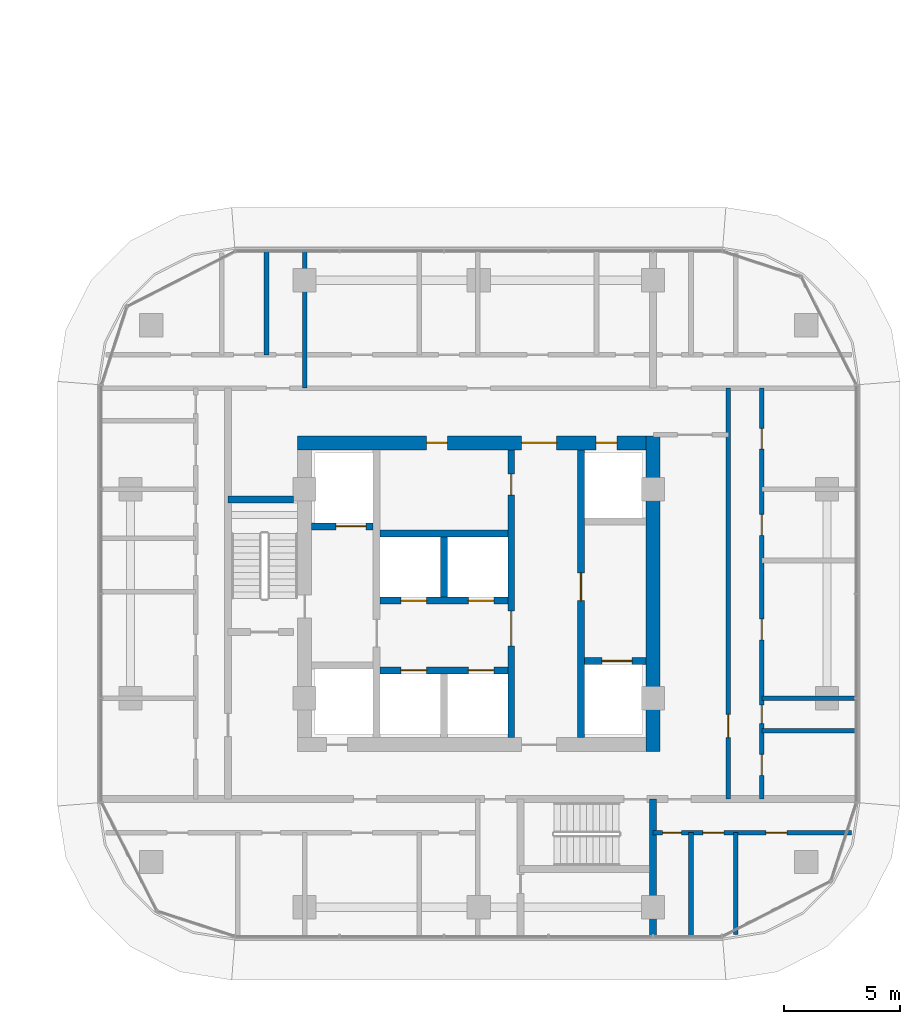
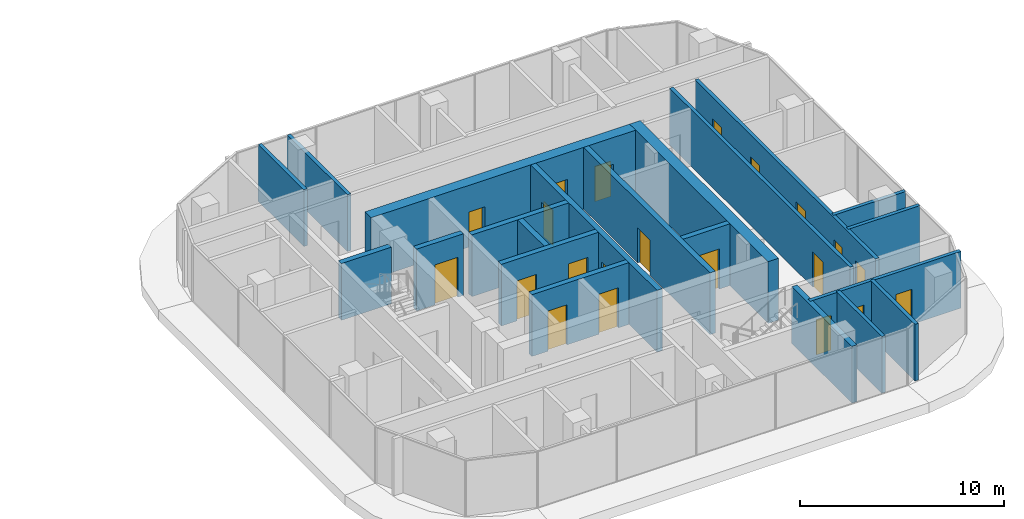
# One storey, part 26 of 39: 21 doors, 21 walls, 21 openings.
"""IFC4 building model written with IfcOpenShell, lengths in metres."""

from ifc_helpers import new_model, si_unit, direction, frame, frame_2d, origin, place, context, subcontext, project, spatial, rectangle, extrude, material, layer, layer_set, type_object, element, fill, save


model = new_model("IFC4")

# Units and contexts
model_context = context("Model", 3, precision=1e-05, world=origin(), true_north=direction((0.0, 1.0)))
body_context = subcontext(model_context, "Body", "Model", "MODEL_VIEW")
ifc_project = project(units=[si_unit("LENGTHUNIT", "METRE"), si_unit("AREAUNIT", "SQUARE_METRE"), si_unit("VOLUMEUNIT", "CUBIC_METRE"), si_unit("PLANEANGLEUNIT", "RADIAN"), si_unit("MASSUNIT", "GRAM", prefix="KILO")], contexts=[model_context])

# Site, building, storey
site_placement = place(None, origin())
site = spatial("IfcSite", under=ifc_project, at=site_placement, CompositionType="ELEMENT")
building_placement = place(site_placement, origin())
building = spatial("IfcBuilding", under=site, at=building_placement, Name="Ogive Portal Towers", CompositionType="ELEMENT")
storey_placement = place(building_placement, frame((0.0, 0.0, 44.60009765625)))
storey = spatial("IfcBuildingStorey", under=building, at=storey_placement, Name="L09", CompositionType="ELEMENT", Elevation=44.60009765625)

# Wall, openings, doors
ifc_material_1 = material(Name="Concrete C60/75", Category="concrete")
ifc_layer_1 = layer(ifc_material_1, 0.300048828125)
ifc_layer_set_1 = layer_set([ifc_layer_1], Name="CORE WALL 300 C60")
wall_type_1 = type_object("IfcWallType", Name="CORE WALL 300 C60", PredefinedType="SHEAR", material=ifc_layer_set_1)
wall_1_placement = place(storey_placement, frame((137.89990234375, 24.800048828125, 0.0), z_axis=(0.0, 0.0, 1.0), x_axis=(0.0, 1.0, 0.0)))
wall_1 = element("IfcWall", 1, at=wall_1_placement, inside=storey, type_object=wall_type_1, Name="Tower B core wall BX2 L09", PredefinedType="SHEAR", context=body_context, shape_type="SweptSolid", body=[
    extrude(rectangle(XDim=12.39990234375, YDim=0.300048828125, at=frame_2d((6.199951171875, 0.0))), origin(), (0.0, 0.0, 1.0), 3.699951171875),
])
opening_1_placement = place(wall_1_placement, frame((3.949951171875, 0.0, 0.0)))
opening_1 = element("IfcOpeningElement", 2, at=opening_1_placement, cuts=wall_1, Name="Opening B02-041", PredefinedType="OPENING", context=body_context, shape_type="SweptSolid", body=[
    extrude(rectangle(XDim=1.5, YDim=2.10009765625, at=frame_2d((0.75, 1.050048828125))), frame((0.0, 0.16015625, 0.0), z_axis=(0.0, -1.0, 0.0), x_axis=(1.0, 0.0, 0.0)), (0.0, 0.0, 1.0), 0.320068359375),
])
opening_2_placement = place(wall_1_placement, frame((10.449951171875, 0.0, 0.0)))
opening_2 = element("IfcOpeningElement", 3, at=opening_2_placement, cuts=wall_1, Name="Opening B02-056", PredefinedType="OPENING", context=body_context, shape_type="SweptSolid", body=[
    extrude(rectangle(XDim=0.89990234375, YDim=2.10009765625, at=frame_2d((0.449951171875, 1.050048828125))), frame((0.0, 0.16015625, 0.0), z_axis=(0.0, -1.0, 0.0), x_axis=(1.0, 0.0, 0.0)), (0.0, 0.0, 1.0), 0.320068359375),
])
ifc_material_2 = material(Name="Steel fire door", Category="steel")
door_type_1 = type_object("IfcDoorType", Name="DT-SWING-1500x2100-FD90S", OperationType="SINGLE_SWING_LEFT", PredefinedType="DOOR", material=ifc_material_2)
door_1_placement = place(opening_1_placement, origin())
door_1 = element("IfcDoor", 4, at=door_1_placement, inside=storey, type_object=door_type_1, Name="Door B02-041", OperationType="SINGLE_SWING_RIGHT", OverallHeight=2.10009765625, OverallWidth=1.5, PredefinedType="DOOR", context=body_context, shape_type="SweptSolid", body=[
    extrude(rectangle(XDim=1.5, YDim=2.10009765625, at=frame_2d((0.75, 1.050048828125))), frame((0.0, 0.02490234375, 0.0), z_axis=(0.0, -1.0, 0.0), x_axis=(1.0, 0.0, 0.0)), (0.0, 0.0, 1.0), 0.050048828125),
])
fill(opening_1, door_1)
door_type_2 = type_object("IfcDoorType", Name="DT-SWING-900x2100-FD90S", OperationType="SINGLE_SWING_LEFT", PredefinedType="DOOR", material=ifc_material_2)
door_2_placement = place(opening_2_placement, origin())
door_2 = element("IfcDoor", 5, at=door_2_placement, inside=storey, type_object=door_type_2, Name="Door B02-056", OperationType="SINGLE_SWING_RIGHT", OverallHeight=2.10009765625, OverallWidth=0.89990234375, PredefinedType="DOOR", context=body_context, shape_type="SweptSolid", body=[
    extrude(rectangle(XDim=0.89990234375, YDim=2.10009765625, at=frame_2d((0.449951171875, 1.050048828125))), frame((0.0, 0.02490234375, 0.0), z_axis=(0.0, -1.0, 0.0), x_axis=(1.0, 0.0, 0.0)), (0.0, 0.0, 1.0), 0.050048828125),
])
fill(opening_2, door_2)

# Wall, opening, door
wall_2_placement = place(storey_placement, frame((140.89990234375, 24.800048828125, 0.0), z_axis=(0.0, 0.0, 1.0), x_axis=(0.0, 1.0, 0.0)))
wall_2 = element("IfcWall", 6, at=wall_2_placement, inside=storey, type_object=wall_type_1, Name="Tower B core wall BX3 L09", PredefinedType="SHEAR", context=body_context, shape_type="SweptSolid", body=[
    extrude(rectangle(XDim=12.39990234375, YDim=0.300048828125, at=frame_2d((6.199951171875, 0.0))), origin(), (0.0, 0.0, 1.0), 3.699951171875),
])
opening_3_placement = place(wall_2_placement, frame((5.89990234375, 0.0, 0.0)))
opening_3 = element("IfcOpeningElement", 7, at=opening_3_placement, cuts=wall_2, Name="Opening B02-043", PredefinedType="OPENING", context=body_context, shape_type="SweptSolid", body=[
    extrude(rectangle(XDim=1.199951171875, YDim=2.10009765625, at=frame_2d((0.60009765625, 1.050048828125))), frame((0.0, 0.16015625, 0.0), z_axis=(0.0, -1.0, 0.0), x_axis=(1.0, 0.0, 0.0)), (0.0, 0.0, 1.0), 0.320068359375),
])
door_type_3 = type_object("IfcDoorType", Name="DT-SWING-1200x2100-FD90S", OperationType="SINGLE_SWING_LEFT", PredefinedType="DOOR", material=ifc_material_2)
door_3_placement = place(opening_3_placement, origin())
door_3 = element("IfcDoor", 8, at=door_3_placement, inside=storey, type_object=door_type_3, Name="Door B02-043", OperationType="SINGLE_SWING_RIGHT", OverallHeight=2.10009765625, OverallWidth=1.199951171875, PredefinedType="DOOR", context=body_context, shape_type="SweptSolid", body=[
    extrude(rectangle(XDim=1.199951171875, YDim=2.10009765625, at=frame_2d((0.60009765625, 1.050048828125))), frame((0.0, 0.02490234375, 0.0), z_axis=(0.0, -1.0, 0.0), x_axis=(1.0, 0.0, 0.0)), (0.0, 0.0, 1.0), 0.050048828125),
])
fill(opening_3, door_3)

# Wall
wall_3_placement = place(storey_placement, frame((135.0, 30.85009765625, 0.0), z_axis=(0.0, 0.0, 1.0), x_axis=(0.0, 1.0, 0.0)))
element("IfcWall", 9, at=wall_3_placement, inside=storey, type_object=wall_type_1, Name="Tower B core wall BX5 L09", PredefinedType="SHEAR", context=body_context, shape_type="SweptSolid", body=[
    extrude(rectangle(XDim=2.599853515625, YDim=0.300048828125, at=frame_2d((1.2998046875, 0.0))), origin(), (0.0, 0.0, 1.0), 3.699951171875),
])

# Wall, openings, doors
wall_4_placement = place(storey_placement, frame((132.25, 27.699951171875, 0.0), z_axis=(0.0, 0.0, 1.0), x_axis=(1.0, 0.0, 0.0)))
wall_4 = element("IfcWall", 10, at=wall_4_placement, inside=storey, type_object=wall_type_1, Name="Tower B core wall BY1 L09", PredefinedType="SHEAR", context=body_context, shape_type="SweptSolid", body=[
    extrude(rectangle(XDim=5.5, YDim=0.300048828125, at=frame_2d((2.75, 0.0))), origin(), (0.0, 0.0, 1.0), 3.699951171875),
])
opening_4_placement = place(wall_4_placement, frame((0.89990234375, 0.0, 0.0)))
opening_4 = element("IfcOpeningElement", 11, at=opening_4_placement, cuts=wall_4, Name="Opening B02-049", PredefinedType="OPENING", context=body_context, shape_type="SweptSolid", body=[
    extrude(rectangle(XDim=1.10009765625, YDim=2.39990234375, at=frame_2d((0.550048828125, 1.199951171875))), frame((0.0, 0.16015625, 0.0), z_axis=(0.0, -1.0, 0.0), x_axis=(1.0, 0.0, 0.0)), (0.0, 0.0, 1.0), 0.320068359375),
])
opening_5_placement = place(wall_4_placement, frame((3.800048828125, 0.0, 0.0)))
opening_5 = element("IfcOpeningElement", 12, at=opening_5_placement, cuts=wall_4, Name="Opening B02-050", PredefinedType="OPENING", context=body_context, shape_type="SweptSolid", body=[
    extrude(rectangle(XDim=1.10009765625, YDim=2.39990234375, at=frame_2d((0.550048828125, 1.199951171875))), frame((0.0, 0.16015625, 0.0), z_axis=(0.0, -1.0, 0.0), x_axis=(1.0, 0.0, 0.0)), (0.0, 0.0, 1.0), 0.320068359375),
])
ifc_material_3 = material(Name="Stainless steel", Category="steel")
door_type_4 = type_object("IfcDoorType", Name="DT-LD-1100x2400", OperationType="SLIDING_TO_LEFT", PredefinedType="DOOR", material=ifc_material_3)
door_4_placement = place(opening_4_placement, origin())
door_4 = element("IfcDoor", 13, at=door_4_placement, inside=storey, type_object=door_type_4, Name="Door B02-049", OperationType="SLIDING_TO_LEFT", OverallHeight=2.39990234375, OverallWidth=1.10009765625, PredefinedType="DOOR", context=body_context, shape_type="SweptSolid", body=[
    extrude(rectangle(XDim=1.10009765625, YDim=2.39990234375, at=frame_2d((0.550048828125, 1.199951171875))), frame((0.0, 0.02490234375, 0.0), z_axis=(0.0, -1.0, 0.0), x_axis=(1.0, 0.0, 0.0)), (0.0, 0.0, 1.0), 0.050048828125),
])
fill(opening_4, door_4)
door_5_placement = place(opening_5_placement, origin())
door_5 = element("IfcDoor", 14, at=door_5_placement, inside=storey, type_object=door_type_4, Name="Door B02-050", OperationType="SLIDING_TO_LEFT", OverallHeight=2.39990234375, OverallWidth=1.10009765625, PredefinedType="DOOR", context=body_context, shape_type="SweptSolid", body=[
    extrude(rectangle(XDim=1.10009765625, YDim=2.39990234375, at=frame_2d((0.550048828125, 1.199951171875))), frame((0.0, 0.02490234375, 0.0), z_axis=(0.0, -1.0, 0.0), x_axis=(1.0, 0.0, 0.0)), (0.0, 0.0, 1.0), 0.050048828125),
])
fill(opening_5, door_5)

wall_5_placement = place(storey_placement, frame((132.25, 30.699951171875, 0.0), z_axis=(0.0, 0.0, 1.0), x_axis=(1.0, 0.0, 0.0)))
wall_5 = element("IfcWall", 15, at=wall_5_placement, inside=storey, type_object=wall_type_1, Name="Tower B core wall BY2 L09", PredefinedType="SHEAR", context=body_context, shape_type="SweptSolid", body=[
    extrude(rectangle(XDim=5.5, YDim=0.300048828125, at=frame_2d((2.75, 0.0))), origin(), (0.0, 0.0, 1.0), 3.699951171875),
])
opening_6_placement = place(wall_5_placement, frame((0.89990234375, 0.0, 0.0)))
opening_6 = element("IfcOpeningElement", 16, at=opening_6_placement, cuts=wall_5, Name="Opening B02-051", PredefinedType="OPENING", context=body_context, shape_type="SweptSolid", body=[
    extrude(rectangle(XDim=1.10009765625, YDim=2.39990234375, at=frame_2d((0.550048828125, 1.199951171875))), frame((0.0, 0.16015625, 0.0), z_axis=(0.0, -1.0, 0.0), x_axis=(1.0, 0.0, 0.0)), (0.0, 0.0, 1.0), 0.320068359375),
])
opening_7_placement = place(wall_5_placement, frame((3.800048828125, 0.0, 0.0)))
opening_7 = element("IfcOpeningElement", 17, at=opening_7_placement, cuts=wall_5, Name="Opening B02-052", PredefinedType="OPENING", context=body_context, shape_type="SweptSolid", body=[
    extrude(rectangle(XDim=1.10009765625, YDim=2.39990234375, at=frame_2d((0.550048828125, 1.199951171875))), frame((0.0, 0.16015625, 0.0), z_axis=(0.0, -1.0, 0.0), x_axis=(1.0, 0.0, 0.0)), (0.0, 0.0, 1.0), 0.320068359375),
])
door_6_placement = place(opening_6_placement, origin())
door_6 = element("IfcDoor", 18, at=door_6_placement, inside=storey, type_object=door_type_4, Name="Door B02-051", OperationType="SLIDING_TO_LEFT", OverallHeight=2.39990234375, OverallWidth=1.10009765625, PredefinedType="DOOR", context=body_context, shape_type="SweptSolid", body=[
    extrude(rectangle(XDim=1.10009765625, YDim=2.39990234375, at=frame_2d((0.550048828125, 1.199951171875))), frame((0.0, 0.02490234375, 0.0), z_axis=(0.0, -1.0, 0.0), x_axis=(1.0, 0.0, 0.0)), (0.0, 0.0, 1.0), 0.050048828125),
])
fill(opening_6, door_6)
door_7_placement = place(opening_7_placement, origin())
door_7 = element("IfcDoor", 19, at=door_7_placement, inside=storey, type_object=door_type_4, Name="Door B02-052", OperationType="SLIDING_TO_LEFT", OverallHeight=2.39990234375, OverallWidth=1.10009765625, PredefinedType="DOOR", context=body_context, shape_type="SweptSolid", body=[
    extrude(rectangle(XDim=1.10009765625, YDim=2.39990234375, at=frame_2d((0.550048828125, 1.199951171875))), frame((0.0, 0.02490234375, 0.0), z_axis=(0.0, -1.0, 0.0), x_axis=(1.0, 0.0, 0.0)), (0.0, 0.0, 1.0), 0.050048828125),
])
fill(opening_7, door_7)

# Wall
wall_6_placement = place(storey_placement, frame((132.25, 33.60009765625, 0.0), z_axis=(0.0, 0.0, 1.0), x_axis=(1.0, 0.0, 0.0)))
element("IfcWall", 20, at=wall_6_placement, inside=storey, type_object=wall_type_1, Name="Tower B core wall BY3 L09", PredefinedType="SHEAR", context=body_context, shape_type="SweptSolid", body=[
    extrude(rectangle(XDim=5.5, YDim=0.300048828125, at=frame_2d((2.75, 0.0))), origin(), (0.0, 0.0, 1.0), 3.699951171875),
])

# Wall, opening, door
wall_7_placement = place(storey_placement, frame((129.300048828125, 33.89990234375, 0.0), z_axis=(0.0, 0.0, 1.0), x_axis=(1.0, 0.0, 0.0)))
wall_7 = element("IfcWall", 21, at=wall_7_placement, inside=storey, type_object=wall_type_1, Name="Tower B core wall BY5 L09", PredefinedType="SHEAR", context=body_context, shape_type="SweptSolid", body=[
    extrude(rectangle(XDim=2.64990234375, YDim=0.300048828125, at=frame_2d((1.324951171875, 0.0))), origin(), (0.0, 0.0, 1.0), 3.699951171875),
])
opening_8_placement = place(wall_7_placement, frame((1.050048828125, 0.0, 0.0)))
opening_8 = element("IfcOpeningElement", 22, at=opening_8_placement, cuts=wall_7, Name="Opening B02-053", PredefinedType="OPENING", context=body_context, shape_type="SweptSolid", body=[
    extrude(rectangle(XDim=1.300048828125, YDim=2.39990234375, at=frame_2d((0.64990234375, 1.199951171875))), frame((0.0, 0.16015625, 0.0), z_axis=(0.0, -1.0, 0.0), x_axis=(1.0, 0.0, 0.0)), (0.0, 0.0, 1.0), 0.320068359375),
])
door_type_5 = type_object("IfcDoorType", Name="DT-LD-1300x2400", OperationType="SLIDING_TO_LEFT", PredefinedType="DOOR", material=ifc_material_3)
door_8_placement = place(opening_8_placement, origin())
door_8 = element("IfcDoor", 23, at=door_8_placement, inside=storey, type_object=door_type_5, Name="Door B02-053", OperationType="SLIDING_TO_LEFT", OverallHeight=2.39990234375, OverallWidth=1.300048828125, PredefinedType="DOOR", context=body_context, shape_type="SweptSolid", body=[
    extrude(rectangle(XDim=1.300048828125, YDim=2.39990234375, at=frame_2d((0.64990234375, 1.199951171875))), frame((0.0, 0.02490234375, 0.0), z_axis=(0.0, -1.0, 0.0), x_axis=(1.0, 0.0, 0.0)), (0.0, 0.0, 1.0), 0.050048828125),
])
fill(opening_8, door_8)

wall_8_placement = place(storey_placement, frame((141.050048828125, 28.10009765625, 0.0), z_axis=(0.0, 0.0, 1.0), x_axis=(1.0, 0.0, 0.0)))
wall_8 = element("IfcWall", 24, at=wall_8_placement, inside=storey, type_object=wall_type_1, Name="Tower B core wall BY6 L09", PredefinedType="SHEAR", context=body_context, shape_type="SweptSolid", body=[
    extrude(rectangle(XDim=2.64990234375, YDim=0.300048828125, at=frame_2d((1.324951171875, 0.0))), origin(), (0.0, 0.0, 1.0), 3.699951171875),
])
opening_9_placement = place(wall_8_placement, frame((0.75, 0.0, 0.0)))
opening_9 = element("IfcOpeningElement", 25, at=opening_9_placement, cuts=wall_8, Name="Opening B02-054", PredefinedType="OPENING", context=body_context, shape_type="SweptSolid", body=[
    extrude(rectangle(XDim=1.300048828125, YDim=2.39990234375, at=frame_2d((0.64990234375, 1.199951171875))), frame((0.0, 0.16015625, 0.0), z_axis=(0.0, -1.0, 0.0), x_axis=(1.0, 0.0, 0.0)), (0.0, 0.0, 1.0), 0.320068359375),
])
door_9_placement = place(opening_9_placement, origin())
door_9 = element("IfcDoor", 26, at=door_9_placement, inside=storey, type_object=door_type_5, Name="Door B02-054", OperationType="SLIDING_TO_LEFT", OverallHeight=2.39990234375, OverallWidth=1.300048828125, PredefinedType="DOOR", context=body_context, shape_type="SweptSolid", body=[
    extrude(rectangle(XDim=1.300048828125, YDim=2.39990234375, at=frame_2d((0.64990234375, 1.199951171875))), frame((0.0, 0.02490234375, 0.0), z_axis=(0.0, -1.0, 0.0), x_axis=(1.0, 0.0, 0.0)), (0.0, 0.0, 1.0), 0.050048828125),
])
fill(opening_9, door_9)

# Wall
ifc_layer_2 = layer(ifc_material_1, 0.60009765625)
ifc_layer_set_2 = layer_set([ifc_layer_2], Name="CORE WALL 600 C60")
wall_type_2 = type_object("IfcWallType", Name="CORE WALL 600 C60", PredefinedType="SHEAR", material=ifc_layer_set_2)
wall_9_placement = place(storey_placement, frame((144.0, 24.199951171875, 0.0), z_axis=(0.0, 0.0, 1.0), x_axis=(0.0, 1.0, 0.0)))
element("IfcWall", 27, at=wall_9_placement, inside=storey, type_object=wall_type_2, Name="Tower B core wall BE L09", PredefinedType="SHEAR", context=body_context, shape_type="SweptSolid", body=[
    extrude(rectangle(XDim=13.60009765625, YDim=0.60009765625, at=frame_2d((6.800048828125, 0.0))), origin(), (0.0, 0.0, 1.0), 3.699951171875),
])

# Wall, openings, doors
wall_10_placement = place(storey_placement, frame((128.699951171875, 37.5, 0.0), z_axis=(0.0, 0.0, 1.0), x_axis=(1.0, 0.0, 0.0)))
wall_10 = element("IfcWall", 28, at=wall_10_placement, inside=storey, type_object=wall_type_2, Name="Tower B core wall BN L09", PredefinedType="SHEAR", context=body_context, shape_type="SweptSolid", body=[
    extrude(rectangle(XDim=15.0, YDim=0.60009765625, at=frame_2d((7.5, 0.0))), origin(), (0.0, 0.0, 1.0), 3.699951171875),
])
opening_10_placement = place(wall_10_placement, frame((9.64990234375, 0.0, 0.0)))
opening_10 = element("IfcOpeningElement", 29, at=opening_10_placement, cuts=wall_10, Name="Opening B02-046", PredefinedType="OPENING", context=body_context, shape_type="SweptSolid", body=[
    extrude(rectangle(XDim=1.5, YDim=2.10009765625, at=frame_2d((0.75, 1.050048828125))), frame((0.0, 0.31005859375, 0.0), z_axis=(0.0, -1.0, 0.0), x_axis=(1.0, 0.0, 0.0)), (0.0, 0.0, 1.0), 0.6201171875),
])
opening_11_placement = place(wall_10_placement, frame((12.85009765625, 0.0, 0.0)))
opening_11 = element("IfcOpeningElement", 30, at=opening_11_placement, cuts=wall_10, Name="Opening B02-048", PredefinedType="OPENING", context=body_context, shape_type="SweptSolid", body=[
    extrude(rectangle(XDim=0.89990234375, YDim=2.10009765625, at=frame_2d((0.449951171875, 1.050048828125))), frame((0.0, 0.31005859375, 0.0), z_axis=(0.0, -1.0, 0.0), x_axis=(1.0, 0.0, 0.0)), (0.0, 0.0, 1.0), 0.6201171875),
])
opening_12_placement = place(wall_10_placement, frame((5.550048828125, 0.0, 0.0)))
opening_12 = element("IfcOpeningElement", 31, at=opening_12_placement, cuts=wall_10, Name="Opening B02-055", PredefinedType="OPENING", context=body_context, shape_type="SweptSolid", body=[
    extrude(rectangle(XDim=0.89990234375, YDim=2.10009765625, at=frame_2d((0.449951171875, 1.050048828125))), frame((0.0, 0.31005859375, 0.0), z_axis=(0.0, -1.0, 0.0), x_axis=(1.0, 0.0, 0.0)), (0.0, 0.0, 1.0), 0.6201171875),
])
door_10_placement = place(opening_10_placement, origin())
door_10 = element("IfcDoor", 32, at=door_10_placement, inside=storey, type_object=door_type_1, Name="Door B02-046", OperationType="SINGLE_SWING_RIGHT", OverallHeight=2.10009765625, OverallWidth=1.5, PredefinedType="DOOR", context=body_context, shape_type="SweptSolid", body=[
    extrude(rectangle(XDim=1.5, YDim=2.10009765625, at=frame_2d((0.75, 1.050048828125))), frame((0.0, 0.02490234375, 0.0), z_axis=(0.0, -1.0, 0.0), x_axis=(1.0, 0.0, 0.0)), (0.0, 0.0, 1.0), 0.050048828125),
])
fill(opening_10, door_10)
door_11_placement = place(opening_11_placement, origin())
door_11 = element("IfcDoor", 33, at=door_11_placement, inside=storey, type_object=door_type_2, Name="Riser access door B02-048", OperationType="SINGLE_SWING_RIGHT", OverallHeight=2.10009765625, OverallWidth=0.89990234375, PredefinedType="DOOR", context=body_context, shape_type="SweptSolid", body=[
    extrude(rectangle(XDim=0.89990234375, YDim=2.10009765625, at=frame_2d((0.449951171875, 1.050048828125))), frame((0.0, 0.02490234375, 0.0), z_axis=(0.0, -1.0, 0.0), x_axis=(1.0, 0.0, 0.0)), (0.0, 0.0, 1.0), 0.050048828125),
])
fill(opening_11, door_11)
door_12_placement = place(opening_12_placement, origin())
door_12 = element("IfcDoor", 34, at=door_12_placement, inside=storey, type_object=door_type_2, Name="Door B02-055", OperationType="SINGLE_SWING_LEFT", OverallHeight=2.10009765625, OverallWidth=0.89990234375, PredefinedType="DOOR", context=body_context, shape_type="SweptSolid", body=[
    extrude(rectangle(XDim=0.89990234375, YDim=2.10009765625, at=frame_2d((0.449951171875, 1.050048828125))), frame((0.0, 0.02490234375, 0.0), z_axis=(0.0, -1.0, 0.0), x_axis=(1.0, 0.0, 0.0)), (0.0, 0.0, 1.0), 0.050048828125),
])
fill(opening_12, door_12)

# Walls
ifc_material_4 = material(Name="Concrete C50/60", Category="concrete")
ifc_layer_3 = layer(ifc_material_4, 0.300048828125)
ifc_layer_set_3 = layer_set([ifc_layer_3], Name="STAIR WALL 300 C50")
wall_type_3 = type_object("IfcWallType", Name="STAIR WALL 300 C50", PredefinedType="SHEAR", material=ifc_layer_set_3)
wall_11_placement = place(storey_placement, frame((125.699951171875, 35.050048828125, 0.0), z_axis=(0.0, 0.0, 1.0), x_axis=(1.0, 0.0, 0.0)))
element("IfcWall", 35, at=wall_11_placement, inside=storey, type_object=wall_type_3, Name="Stair wall ST-B1 L09", PredefinedType="SHEAR", context=body_context, shape_type="SweptSolid", body=[
    extrude(rectangle(XDim=2.830078125, YDim=0.300048828125, at=frame_2d((1.4150390625, 0.0))), origin(), (0.0, 0.0, 1.0), 3.39990234375),
])
wall_12_placement = place(storey_placement, frame((144.0, 16.235107421875, 0.0), z_axis=(0.0, 0.0, 1.0), x_axis=(0.0, 1.0, 0.0)))
element("IfcWall", 36, at=wall_12_placement, inside=storey, type_object=wall_type_3, Name="Stair wall ST-B2 L09", PredefinedType="SHEAR", context=body_context, shape_type="SweptSolid", body=[
    extrude(rectangle(XDim=5.914794921875, YDim=0.300048828125, at=frame_2d((2.95751953125, 0.0))), origin(), (0.0, 0.0, 1.0), 3.39990234375),
])

# Wall, openings, doors
ifc_material_5 = material(Name="Gypsum board partition on steel studs", Category="steel")
ifc_layer_4 = layer(ifc_material_5, 0.199951171875)
ifc_layer_set_4 = layer_set([ifc_layer_4], Name="WT-PART-200-EI 60")
wall_type_4 = type_object("IfcWallType", Name="WT-PART-200-EI 60", PredefinedType="PARTITIONING", material=ifc_layer_set_4)
wall_13_placement = place(storey_placement, frame((144.0, 20.7099609375, 0.0), z_axis=(0.0, 0.0, 1.0), x_axis=(1.0, 0.0, 0.0)))
wall_13 = element("IfcWall", 37, at=wall_13_placement, inside=storey, type_object=wall_type_4, Name="Wall L09:w003", PredefinedType="PARTITIONING", context=body_context, shape_type="SweptSolid", body=[
    extrude(rectangle(XDim=8.56005859375, YDim=0.199951171875, at=frame_2d((4.280029296875, 0.0))), origin(), (0.0, 0.0, 1.0), 3.39990234375),
])
opening_13_placement = place(wall_13_placement, frame((0.4208984375, 0.0, 0.0)))
opening_13 = element("IfcOpeningElement", 38, at=opening_13_placement, cuts=wall_13, Name="Opening B02-023", PredefinedType="OPENING", context=body_context, shape_type="SweptSolid", body=[
    extrude(rectangle(XDim=0.800048828125, YDim=2.10009765625, at=frame_2d((0.39990234375, 1.050048828125))), frame((0.0, 0.10986328125, 0.0), z_axis=(0.0, -1.0, 0.0), x_axis=(1.0, 0.0, 0.0)), (0.0, 0.0, 1.0), 0.219970703125),
])
opening_14_placement = place(wall_13_placement, frame((2.156005859375, 0.0, 0.0)))
opening_14 = element("IfcOpeningElement", 39, at=opening_14_placement, cuts=wall_13, Name="Opening B02-024", PredefinedType="OPENING", context=body_context, shape_type="SweptSolid", body=[
    extrude(rectangle(XDim=0.89990234375, YDim=2.10009765625, at=frame_2d((0.449951171875, 1.050048828125))), frame((0.0, 0.10986328125, 0.0), z_axis=(0.0, -1.0, 0.0), x_axis=(1.0, 0.0, 0.0)), (0.0, 0.0, 1.0), 0.219970703125),
])
opening_15_placement = place(wall_13_placement, frame((4.866943359375, 0.0, 0.0)))
opening_15 = element("IfcOpeningElement", 40, at=opening_15_placement, cuts=wall_13, Name="Opening B02-025", PredefinedType="OPENING", context=body_context, shape_type="SweptSolid", body=[
    extrude(rectangle(XDim=0.89990234375, YDim=2.10009765625, at=frame_2d((0.449951171875, 1.050048828125))), frame((0.0, 0.10986328125, 0.0), z_axis=(0.0, -1.0, 0.0), x_axis=(1.0, 0.0, 0.0)), (0.0, 0.0, 1.0), 0.219970703125),
])
door_type_6 = type_object("IfcDoorType", Name="DT-SWING-800x2100-FD60S", OperationType="SINGLE_SWING_LEFT", PredefinedType="DOOR", material=ifc_material_2)
door_13_placement = place(opening_13_placement, origin())
door_13 = element("IfcDoor", 41, at=door_13_placement, inside=storey, type_object=door_type_6, Name="Door B02-023", OperationType="SINGLE_SWING_LEFT", OverallHeight=2.10009765625, OverallWidth=0.800048828125, PredefinedType="DOOR", context=body_context, shape_type="SweptSolid", body=[
    extrude(rectangle(XDim=0.800048828125, YDim=2.10009765625, at=frame_2d((0.39990234375, 1.050048828125))), frame((0.0, 0.02490234375, 0.0), z_axis=(0.0, -1.0, 0.0), x_axis=(1.0, 0.0, 0.0)), (0.0, 0.0, 1.0), 0.050048828125),
])
fill(opening_13, door_13)
door_type_7 = type_object("IfcDoorType", Name="DT-SWING-900x2100-FD60S", OperationType="SINGLE_SWING_LEFT", PredefinedType="DOOR", material=ifc_material_2)
door_14_placement = place(opening_14_placement, origin())
door_14 = element("IfcDoor", 42, at=door_14_placement, inside=storey, type_object=door_type_7, Name="Door B02-024", OperationType="SINGLE_SWING_RIGHT", OverallHeight=2.10009765625, OverallWidth=0.89990234375, PredefinedType="DOOR", context=body_context, shape_type="SweptSolid", body=[
    extrude(rectangle(XDim=0.89990234375, YDim=2.10009765625, at=frame_2d((0.449951171875, 1.050048828125))), frame((0.0, 0.02490234375, 0.0), z_axis=(0.0, -1.0, 0.0), x_axis=(1.0, 0.0, 0.0)), (0.0, 0.0, 1.0), 0.050048828125),
])
fill(opening_14, door_14)
door_15_placement = place(opening_15_placement, origin())
door_15 = element("IfcDoor", 43, at=door_15_placement, inside=storey, type_object=door_type_7, Name="Door B02-025", OperationType="SINGLE_SWING_LEFT", OverallHeight=2.10009765625, OverallWidth=0.89990234375, PredefinedType="DOOR", context=body_context, shape_type="SweptSolid", body=[
    extrude(rectangle(XDim=0.89990234375, YDim=2.10009765625, at=frame_2d((0.449951171875, 1.050048828125))), frame((0.0, 0.02490234375, 0.0), z_axis=(0.0, -1.0, 0.0), x_axis=(1.0, 0.0, 0.0)), (0.0, 0.0, 1.0), 0.050048828125),
])
fill(opening_15, door_15)

# Walls
for number, where, z_axis, x_axis, name in (
    (44, (148.68994140625, 25.10595703125, 0.0), (0.0, 0.0, 1.0), (1.0, 0.0, 0.0), "Wall L09:w007"),
    (45, (148.68994140625, 26.5, 0.0), (0.0, 0.0, 1.0), (1.0, 0.0, 0.0), "Wall L09:w009"),
):
    element("IfcWall", number, at=place(storey_placement, frame(where, z_axis=z_axis, x_axis=x_axis)), inside=storey, type_object=wall_type_4, Name=name, PredefinedType="PARTITIONING", context=body_context, shape_type="SweptSolid", body=[
        extrude(rectangle(XDim=4.074951171875, YDim=0.199951171875, at=frame_2d((2.03759765625, 0.0))), origin(), (0.0, 0.0, 1.0), 3.39990234375),
    ])
wall_14_placement = place(storey_placement, frame((127.35888671875, 41.2900390625, 0.0), z_axis=(0.0, 0.0, 1.0), x_axis=(0.0, 1.0, 0.0)))
element("IfcWall", 46, at=wall_14_placement, inside=storey, type_object=wall_type_4, Name="Wall L09:w026", PredefinedType="PARTITIONING", context=body_context, shape_type="SweptSolid", body=[
    extrude(rectangle(XDim=4.474853515625, YDim=0.199951171875, at=frame_2d((2.2373046875, 0.0))), origin(), (0.0, 0.0, 1.0), 3.39990234375),
])
wall_15_placement = place(storey_placement, frame((129.0, 39.85009765625, 0.0), z_axis=(0.0, 0.0, 1.0), x_axis=(0.0, 1.0, 0.0)))
element("IfcWall", 47, at=wall_15_placement, inside=storey, type_object=wall_type_4, Name="Wall L09:w030", PredefinedType="PARTITIONING", context=body_context, shape_type="SweptSolid", body=[
    extrude(rectangle(XDim=5.914794921875, YDim=0.199951171875, at=frame_2d((2.95751953125, 0.0))), origin(), (0.0, 0.0, 1.0), 3.39990234375),
])
wall_16_placement = place(storey_placement, frame((145.64111328125, 16.235107421875, 0.0), z_axis=(0.0, 0.0, 1.0), x_axis=(0.0, 1.0, 0.0)))
element("IfcWall", 48, at=wall_16_placement, inside=storey, type_object=wall_type_4, Name="Wall L09:w041", PredefinedType="PARTITIONING", context=body_context, shape_type="SweptSolid", body=[
    extrude(rectangle(XDim=4.474853515625, YDim=0.199951171875, at=frame_2d((2.2373046875, 0.0))), origin(), (0.0, 0.0, 1.0), 3.39990234375),
])

# Wall, opening, door
wall_17_placement = place(storey_placement, frame((147.25, 22.14990234375, 0.0), z_axis=(0.0, 0.0, 1.0), x_axis=(0.0, 1.0, 0.0)))
wall_17 = element("IfcWall", 49, at=wall_17_placement, inside=storey, type_object=wall_type_4, Name="Wall L09:w043", PredefinedType="PARTITIONING", context=body_context, shape_type="SweptSolid", body=[
    extrude(rectangle(XDim=17.7001953125, YDim=0.199951171875, at=frame_2d((8.85009765625, 0.0))), origin(), (0.0, 0.0, 1.0), 3.39990234375),
])
opening_16_placement = place(wall_17_placement, frame((2.64990234375, 0.0, 0.0)))
opening_16 = element("IfcOpeningElement", 50, at=opening_16_placement, cuts=wall_17, Name="Opening B02-035", PredefinedType="OPENING", context=body_context, shape_type="SweptSolid", body=[
    extrude(rectangle(XDim=1.0, YDim=2.10009765625, at=frame_2d((0.5, 1.050048828125))), frame((0.0, 0.10986328125, 0.0), z_axis=(0.0, -1.0, 0.0), x_axis=(1.0, 0.0, 0.0)), (0.0, 0.0, 1.0), 0.219970703125),
])
door_type_8 = type_object("IfcDoorType", Name="DT-SWING-1000x2100-FD60S", OperationType="SINGLE_SWING_LEFT", PredefinedType="DOOR", material=ifc_material_2)
door_16_placement = place(opening_16_placement, origin())
door_16 = element("IfcDoor", 51, at=door_16_placement, inside=storey, type_object=door_type_8, Name="Door B02-035", OperationType="SINGLE_SWING_LEFT", OverallHeight=2.10009765625, OverallWidth=1.0, PredefinedType="DOOR", context=body_context, shape_type="SweptSolid", body=[
    extrude(rectangle(XDim=1.0, YDim=2.10009765625, at=frame_2d((0.5, 1.050048828125))), frame((0.0, 0.02490234375, 0.0), z_axis=(0.0, -1.0, 0.0), x_axis=(1.0, 0.0, 0.0)), (0.0, 0.0, 1.0), 0.050048828125),
])
fill(opening_16, door_16)

# Wall
wall_18_placement = place(storey_placement, frame((147.571044921875, 16.325927734375, 0.0), z_axis=(0.0, 0.0, 1.0), x_axis=(0.0, 1.0, 0.0)))
element("IfcWall", 52, at=wall_18_placement, inside=storey, type_object=wall_type_4, Name="Wall L09:w044", PredefinedType="PARTITIONING", context=body_context, shape_type="SweptSolid", body=[
    extrude(rectangle(XDim=4.384033203125, YDim=0.199951171875, at=frame_2d((2.19189453125, 0.0))), origin(), (0.0, 0.0, 1.0), 3.39990234375),
])

# Wall, openings, doors
wall_19_placement = place(storey_placement, frame((148.68994140625, 22.14990234375, 0.0), z_axis=(0.0, 0.0, 1.0), x_axis=(0.0, 1.0, 0.0)))
wall_19 = element("IfcWall", 53, at=wall_19_placement, inside=storey, type_object=wall_type_4, Name="Wall L09:w046", PredefinedType="PARTITIONING", context=body_context, shape_type="SweptSolid", body=[
    extrude(rectangle(XDim=17.7001953125, YDim=0.199951171875, at=frame_2d((8.85009765625, 0.0))), origin(), (0.0, 0.0, 1.0), 3.39990234375),
])
opening_17_placement = place(wall_19_placement, frame((1.028076171875, 0.0, 0.0)))
opening_17 = element("IfcOpeningElement", 54, at=opening_17_placement, cuts=wall_19, Name="Opening B02-036", PredefinedType="OPENING", context=body_context, shape_type="SweptSolid", body=[
    extrude(rectangle(XDim=0.89990234375, YDim=2.10009765625, at=frame_2d((0.449951171875, 1.050048828125))), frame((0.0, 0.10986328125, 0.0), z_axis=(0.0, -1.0, 0.0), x_axis=(1.0, 0.0, 0.0)), (0.0, 0.0, 1.0), 0.219970703125),
])
opening_18_placement = place(wall_19_placement, frame((3.2529296875, 0.0, 0.0)))
opening_18 = element("IfcOpeningElement", 55, at=opening_18_placement, cuts=wall_19, Name="Opening B02-037", PredefinedType="OPENING", context=body_context, shape_type="SweptSolid", body=[
    extrude(rectangle(XDim=0.800048828125, YDim=2.10009765625, at=frame_2d((0.39990234375, 1.050048828125))), frame((0.0, 0.10986328125, 0.0), z_axis=(0.0, -1.0, 0.0), x_axis=(1.0, 0.0, 0.0)), (0.0, 0.0, 1.0), 0.219970703125),
])
opening_19_placement = place(wall_19_placement, frame((6.866943359375, 0.0, 0.0)))
opening_19 = element("IfcOpeningElement", 56, at=opening_19_placement, cuts=wall_19, Name="Opening B02-038", PredefinedType="OPENING", context=body_context, shape_type="SweptSolid", body=[
    extrude(rectangle(XDim=0.89990234375, YDim=2.10009765625, at=frame_2d((0.449951171875, 1.050048828125))), frame((0.0, 0.10986328125, 0.0), z_axis=(0.0, -1.0, 0.0), x_axis=(1.0, 0.0, 0.0)), (0.0, 0.0, 1.0), 0.219970703125),
])
opening_20_placement = place(wall_19_placement, frame((11.366943359375, 0.0, 0.0)))
opening_20 = element("IfcOpeningElement", 57, at=opening_20_placement, cuts=wall_19, Name="Opening B02-039", PredefinedType="OPENING", context=body_context, shape_type="SweptSolid", body=[
    extrude(rectangle(XDim=0.89990234375, YDim=2.10009765625, at=frame_2d((0.449951171875, 1.050048828125))), frame((0.0, 0.10986328125, 0.0), z_axis=(0.0, -1.0, 0.0), x_axis=(1.0, 0.0, 0.0)), (0.0, 0.0, 1.0), 0.219970703125),
])
opening_21_placement = place(wall_19_placement, frame((15.074951171875, 0.0, 0.0)))
opening_21 = element("IfcOpeningElement", 58, at=opening_21_placement, cuts=wall_19, Name="Opening B02-040", PredefinedType="OPENING", context=body_context, shape_type="SweptSolid", body=[
    extrude(rectangle(XDim=0.89990234375, YDim=2.10009765625, at=frame_2d((0.449951171875, 1.050048828125))), frame((0.0, 0.10986328125, 0.0), z_axis=(0.0, -1.0, 0.0), x_axis=(1.0, 0.0, 0.0)), (0.0, 0.0, 1.0), 0.219970703125),
])
door_17_placement = place(opening_18_placement, origin())
door_17 = element("IfcDoor", 59, at=door_17_placement, inside=storey, type_object=door_type_6, Name="Door B02-037", OperationType="SINGLE_SWING_LEFT", OverallHeight=2.10009765625, OverallWidth=0.800048828125, PredefinedType="DOOR", context=body_context, shape_type="SweptSolid", body=[
    extrude(rectangle(XDim=0.800048828125, YDim=2.10009765625, at=frame_2d((0.39990234375, 1.050048828125))), frame((0.0, 0.02490234375, 0.0), z_axis=(0.0, -1.0, 0.0), x_axis=(1.0, 0.0, 0.0)), (0.0, 0.0, 1.0), 0.050048828125),
])
fill(opening_18, door_17)
door_18_placement = place(opening_17_placement, origin())
door_18 = element("IfcDoor", 60, at=door_18_placement, inside=storey, type_object=door_type_7, Name="Door B02-036", OperationType="SINGLE_SWING_RIGHT", OverallHeight=2.10009765625, OverallWidth=0.89990234375, PredefinedType="DOOR", context=body_context, shape_type="SweptSolid", body=[
    extrude(rectangle(XDim=0.89990234375, YDim=2.10009765625, at=frame_2d((0.449951171875, 1.050048828125))), frame((0.0, 0.02490234375, 0.0), z_axis=(0.0, -1.0, 0.0), x_axis=(1.0, 0.0, 0.0)), (0.0, 0.0, 1.0), 0.050048828125),
])
fill(opening_17, door_18)
door_19_placement = place(opening_19_placement, origin())
door_19 = element("IfcDoor", 61, at=door_19_placement, inside=storey, type_object=door_type_7, Name="Door B02-038", OperationType="SINGLE_SWING_RIGHT", OverallHeight=2.10009765625, OverallWidth=0.89990234375, PredefinedType="DOOR", context=body_context, shape_type="SweptSolid", body=[
    extrude(rectangle(XDim=0.89990234375, YDim=2.10009765625, at=frame_2d((0.449951171875, 1.050048828125))), frame((0.0, 0.02490234375, 0.0), z_axis=(0.0, -1.0, 0.0), x_axis=(1.0, 0.0, 0.0)), (0.0, 0.0, 1.0), 0.050048828125),
])
fill(opening_19, door_19)
door_20_placement = place(opening_20_placement, origin())
door_20 = element("IfcDoor", 62, at=door_20_placement, inside=storey, type_object=door_type_7, Name="Door B02-039", OperationType="SINGLE_SWING_LEFT", OverallHeight=2.10009765625, OverallWidth=0.89990234375, PredefinedType="DOOR", context=body_context, shape_type="SweptSolid", body=[
    extrude(rectangle(XDim=0.89990234375, YDim=2.10009765625, at=frame_2d((0.449951171875, 1.050048828125))), frame((0.0, 0.02490234375, 0.0), z_axis=(0.0, -1.0, 0.0), x_axis=(1.0, 0.0, 0.0)), (0.0, 0.0, 1.0), 0.050048828125),
])
fill(opening_20, door_20)
door_21_placement = place(opening_21_placement, origin())
door_21 = element("IfcDoor", 63, at=door_21_placement, inside=storey, type_object=door_type_7, Name="Door B02-040", OperationType="SINGLE_SWING_RIGHT", OverallHeight=2.10009765625, OverallWidth=0.89990234375, PredefinedType="DOOR", context=body_context, shape_type="SweptSolid", body=[
    extrude(rectangle(XDim=0.89990234375, YDim=2.10009765625, at=frame_2d((0.449951171875, 1.050048828125))), frame((0.0, 0.02490234375, 0.0), z_axis=(0.0, -1.0, 0.0), x_axis=(1.0, 0.0, 0.0)), (0.0, 0.0, 1.0), 0.050048828125),
])
fill(opening_21, door_21)

save(model, "model.ifc")
